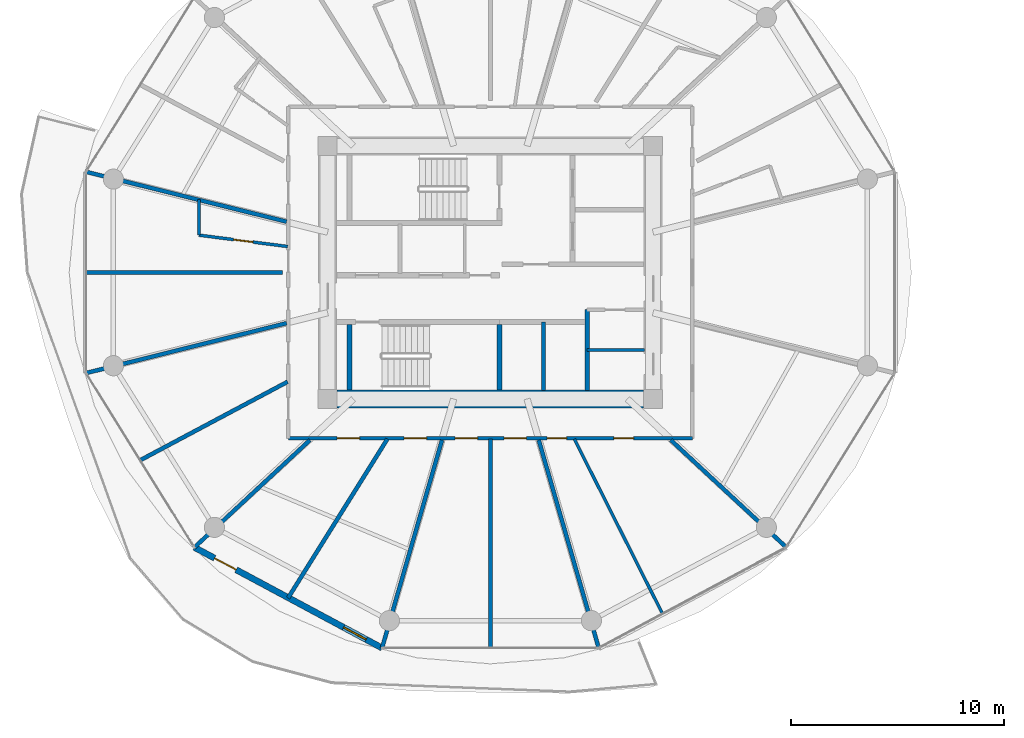
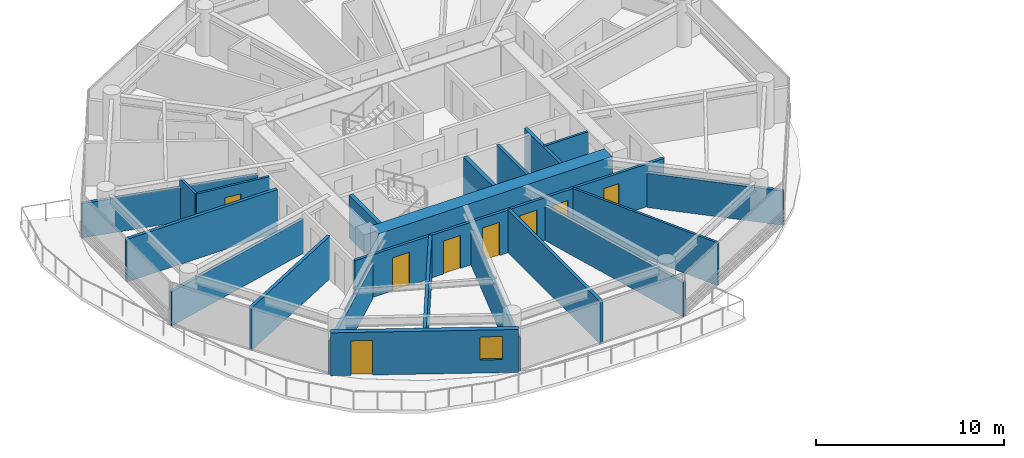
# One storey, part 16 of 28: 21 walls, 8 doors, 1 window, 9 openings.
"""IFC4 building model written with IfcOpenShell, lengths in metres."""

from ifc_helpers import new_model, si_unit, direction, frame, frame_2d, origin, place, context, subcontext, project, spatial, rectangle, extrude, source, transform, mapped, material, layer, layer_set, type_object, type_shapes, element, fill, save


model = new_model("IFC4")

# Units and contexts
model_context = context("Model", 3, precision=1e-05, world=origin(), true_north=direction((0.0, 1.0)))
body_context = subcontext(model_context, "Body", "Model", "MODEL_VIEW")
ifc_project = project(units=[si_unit("LENGTHUNIT", "METRE"), si_unit("AREAUNIT", "SQUARE_METRE"), si_unit("VOLUMEUNIT", "CUBIC_METRE"), si_unit("PLANEANGLEUNIT", "RADIAN"), si_unit("MASSUNIT", "GRAM", prefix="KILO")], contexts=[model_context])

# Site, building, storey
site_placement = place(None, origin())
site = spatial("IfcSite", under=ifc_project, at=site_placement, CompositionType="ELEMENT")
building_placement = place(site_placement, origin())
building = spatial("IfcBuilding", under=site, at=building_placement, Name="Norrkilde Senior Care Towers", CompositionType="ELEMENT")
storey_placement = place(building_placement, frame((0.0, 0.0, 39.89990234375)))
storey = spatial("IfcBuildingStorey", under=building, at=storey_placement, Name="L11", CompositionType="ELEMENT", Elevation=39.89990234375)

# Wall
ifc_material_1 = material(Name="Concrete C60/75", Category="concrete")
ifc_layer_1 = layer(ifc_material_1, 0.85009765625)
ifc_layer_set_1 = layer_set([ifc_layer_1], Name="Concrete C60/75")
wall_type_1 = type_object("IfcWallType", Name="Core Shear Wall Z1 850", PredefinedType="SHEAR", material=ifc_layer_set_1)
shared_shape_1 = source(origin(), body_context, "Body", "SweptSolid", [
    extrude(rectangle(XDim=14.39990234375, YDim=0.85009765625, at=frame_2d((7.199951171875, 0.0))), origin(), (0.0, 0.0, 1.0), 2.7900390625),
])
type_shapes(wall_type_1, [shared_shape_1])
wall_1_placement = place(storey_placement, frame((-20.800048828125, -5.949951171875, 0.0), z_axis=(0.0, 0.0, 1.0), x_axis=(-1.0, 0.0, 0.0)))
element("IfcWall", 1, at=wall_1_placement, inside=storey, type_object=wall_type_1, Name="L11 Core W South Shear Wall", PredefinedType="SHEAR", context=body_context, shape_type="MappedRepresentation", body=[
    mapped(shared_shape_1, transform((0.0, 0.0, 0.0), x_axis=(1.0, 0.0, 0.0), y_axis=(0.0, 1.0, 0.0), z_axis=(0.0, 0.0, 1.0), scale=1.0)),
])

# Wall, openings, door, window
ifc_material_2 = material(Name="Precast concrete C45/55", Category="concrete")
ifc_layer_2 = layer(ifc_material_2, 0.2900390625)
ifc_layer_set_2 = layer_set([ifc_layer_2], Name="Precast concrete C45/55")
wall_type_2 = type_object("IfcWallType", Name="Winter Garden Facade Wall 290", PredefinedType="SOLIDWALL", material=ifc_layer_set_2)
shared_shape_2 = source(origin(), body_context, "Body", "SweptSolid", [
    extrude(rectangle(XDim=10.0107421875, YDim=0.2900390625, at=frame_2d((5.00537109375, 0.0))), origin(), (0.0, 0.0, 1.0), 2.7900390625),
])
type_shapes(wall_type_2, [shared_shape_2])
wall_2_placement = place(storey_placement, frame((-33.093505859375, -17.6572265625, 0.0), z_axis=(0.0, 0.0, 1.0), x_axis=(-0.881272505317, 0.472608475773, 0.0)))
wall_2 = element("IfcWall", 2, at=wall_2_placement, inside=storey, type_object=wall_type_2, Name="L11 Drum W Balcony Access Wall 07", PredefinedType="SOLIDWALL", context=body_context, shape_type="MappedRepresentation", body=[
    mapped(shared_shape_2, transform((0.0, 0.0, 0.0), x_axis=(1.0, 0.0, 0.0), y_axis=(0.0, 1.0, 0.0), z_axis=(0.0, 0.0, 1.0), scale=1.0)),
])
opening_1_placement = place(wall_2_placement, frame((7.780029296875, 0.0, 0.0)))
opening_1 = element("IfcOpeningElement", 3, at=opening_1_placement, cuts=wall_2, Name="Opening D-09", PredefinedType="OPENING", context=body_context, shape_type="SweptSolid", body=[
    extrude(rectangle(XDim=1.14990234375, YDim=2.25, at=frame_2d((0.574951171875, 1.125))), frame((0.0, 0.155029296875, 0.0), z_axis=(0.0, -1.0, 0.0), x_axis=(1.0, 0.0, 0.0)), (0.0, 0.0, 1.0), 0.31005859375),
])
opening_2_placement = place(wall_2_placement, frame((0.85009765625, 0.0, 0.85009765625)))
opening_2 = element("IfcOpeningElement", 4, at=opening_2_placement, cuts=wall_2, Name="Opening WN-07", PredefinedType="OPENING", context=body_context, shape_type="SweptSolid", body=[
    extrude(rectangle(XDim=1.199951171875, YDim=1.5, at=frame_2d((0.60009765625, 0.75))), frame((0.0, 0.155029296875, 0.0), z_axis=(0.0, -1.0, 0.0), x_axis=(1.0, 0.0, 0.0)), (0.0, 0.0, 1.0), 0.31005859375),
])
ifc_material_3 = material(Name="Anodised Aluminium", Category="aluminium")
door_type_1 = type_object("IfcDoorType", Name="Terrace and Balcony Glazed Door 1150x2250", OperationType="NOTDEFINED", PredefinedType="DOOR", material=ifc_material_3)
shared_shape_3 = source(origin(), body_context, "Body", "SweptSolid", [
    extrude(rectangle(XDim=1.14990234375, YDim=2.25, at=frame_2d((0.574951171875, 1.125))), frame((0.0, 0.02490234375, 0.0), z_axis=(0.0, -1.0, 0.0), x_axis=(1.0, 0.0, 0.0)), (0.0, 0.0, 1.0), 0.050048828125),
])
type_shapes(door_type_1, [shared_shape_3])
door_1_placement = place(opening_1_placement, origin())
door_1 = element("IfcDoor", 5, at=door_1_placement, inside=storey, type_object=door_type_1, Name="L11 Drum W Outdoor Terrace Door 07", OperationType="SINGLE_SWING_RIGHT", OverallHeight=2.25, OverallWidth=1.14990234375, PredefinedType="DOOR", context=body_context, shape_type="MappedRepresentation", body=[
    mapped(shared_shape_3, transform((0.0, 0.0, 0.0), x_axis=(1.0, 0.0, 0.0), y_axis=(0.0, 1.0, 0.0), z_axis=(0.0, 0.0, 1.0), scale=1.0)),
])
fill(opening_1, door_1)
ifc_material_4 = material(Name="Triple Low-E Insulated Glazing", Category="glass")
window_type = type_object("IfcWindowType", Name="Stairwell Smoke Vent Window 1200x1500", PartitioningType="SINGLE_PANEL", PredefinedType="WINDOW", material=ifc_material_4)
shared_shape_4 = source(origin(), body_context, "Body", "SweptSolid", [
    extrude(rectangle(XDim=1.199951171875, YDim=1.5, at=frame_2d((0.60009765625, 0.75))), frame((0.0, 0.030029296875, 0.0), z_axis=(0.0, -1.0, 0.0), x_axis=(1.0, 0.0, 0.0)), (0.0, 0.0, 1.0), 0.06005859375),
])
type_shapes(window_type, [shared_shape_4])
window_placement = place(opening_2_placement, origin())
window = element("IfcWindow", 6, at=window_placement, inside=storey, type_object=window_type, Name="L11 Drum W Winter Garden Window 07", OverallHeight=1.5, OverallWidth=1.199951171875, PartitioningType="SINGLE_PANEL", PredefinedType="WINDOW", context=body_context, shape_type="MappedRepresentation", body=[
    mapped(shared_shape_4, transform((0.0, 0.0, 0.0), x_axis=(1.0, 0.0, 0.0), y_axis=(0.0, 1.0, 0.0), z_axis=(0.0, 0.0, 1.0), scale=1.0)),
])
fill(opening_2, window)

# Walls
ifc_material_5 = material(Name="Concrete C45/55", Category="concrete")
ifc_layer_3 = layer(ifc_material_5, 0.239990234375)
ifc_layer_set_3 = layer_set([ifc_layer_3], Name="Concrete C45/55")
wall_type_3 = type_object("IfcWallType", Name="Shaft and Stair Enclosure Wall 240", PredefinedType="PARTITIONING", material=ifc_layer_set_3)
shared_shape_5 = source(origin(), body_context, "Body", "SweptSolid", [
    extrude(rectangle(XDim=3.074951171875, YDim=0.239990234375, at=frame_2d((1.53759765625, 0.0))), origin(), (0.0, 0.0, 1.0), 2.7900390625),
])
type_shapes(wall_type_3, [shared_shape_5])
for number, where, z_axis, x_axis, name in (
    (7, (-34.6201171875, -5.52490234375, 0.0), (0.0, 0.0, 1.0), (0.0, 1.0, 0.0), "WL-INT-L11-W-ST2W"),
    (8, (-27.580078125, -5.52490234375, 0.0), (0.0, 0.0, 1.0), (0.0, 1.0, 0.0), "WL-INT-L11-W-ST2E"),
):
    element("IfcWall", number, at=place(storey_placement, frame(where, z_axis=z_axis, x_axis=x_axis)), inside=storey, type_object=wall_type_3, Name=name, PredefinedType="PARTITIONING", context=body_context, shape_type="MappedRepresentation", body=[
        mapped(shared_shape_5, transform((0.0, 0.0, 0.0), x_axis=(1.0, 0.0, 0.0), y_axis=(0.0, 1.0, 0.0), z_axis=(0.0, 0.0, 1.0), scale=1.0)),
    ])
ifc_layer_4 = layer(ifc_material_5, 0.199951171875)
ifc_layer_set_4 = layer_set([ifc_layer_4], Name="Concrete C45/55")
wall_type_4 = type_object("IfcWallType", Name="Shaft Division and Plant Partition 200", PredefinedType="PARTITIONING", material=ifc_layer_set_4)
shared_shape_6 = source(origin(), body_context, "Body", "SweptSolid", [
    extrude(rectangle(XDim=3.800048828125, YDim=0.199951171875, at=frame_2d((1.89990234375, 0.0))), origin(), (0.0, 0.0, 1.0), 2.775146484375),
])
type_shapes(wall_type_4, [shared_shape_6])
wall_3_placement = place(storey_placement, frame((-23.449951171875, -5.550048828125, 0.0), z_axis=(0.0, 0.0, 1.0), x_axis=(0.0, 1.0, 0.0)))
element("IfcWall", 9, at=wall_3_placement, inside=storey, type_object=wall_type_4, Name="WL-INT-L11-W-PKBE", PredefinedType="PARTITIONING", context=body_context, shape_type="MappedRepresentation", body=[
    mapped(shared_shape_6, transform((0.0, 0.0, 0.0), x_axis=(1.0, 0.0, 0.0), y_axis=(0.0, 1.0, 0.0), z_axis=(0.0, 0.0, 1.0), scale=1.0)),
])
ifc_layer_5 = layer(ifc_material_5, 0.179931640625)
ifc_layer_set_5 = layer_set([ifc_layer_5], Name="Concrete C45/55")
wall_type_5 = type_object("IfcWallType", Name="Hoistway Division Rated Partition 180", PredefinedType="PARTITIONING", material=ifc_layer_set_5)
shared_shape_7 = source(origin(), body_context, "Body", "SweptSolid", [
    extrude(rectangle(XDim=3.219970703125, YDim=0.179931640625, at=frame_2d((1.60986328125, 0.0))), origin(), (0.0, 0.0, 1.0), 2.775146484375),
])
type_shapes(wall_type_5, [shared_shape_7])
wall_4_placement = place(storey_placement, frame((-25.5, -5.550048828125, 0.0), z_axis=(0.0, 0.0, 1.0), x_axis=(0.0, 1.0, 0.0)))
element("IfcWall", 10, at=wall_4_placement, inside=storey, type_object=wall_type_5, Name="WL-INT-L11-W-PL34", PredefinedType="PARTITIONING", context=body_context, shape_type="MappedRepresentation", body=[
    mapped(shared_shape_7, transform((0.0, 0.0, 0.0), x_axis=(1.0, 0.0, 0.0), y_axis=(0.0, 1.0, 0.0), z_axis=(0.0, 0.0, 1.0), scale=1.0)),
])

# Wall, openings, doors
ifc_material_6 = material(Name="Gypsum Acoustic Board")
ifc_layer_6 = layer(ifc_material_6, 0.1650390625)
ifc_layer_set_6 = layer_set([ifc_layer_6], Name="Gypsum Acoustic Board")
wall_type_6 = type_object("IfcWallType", Name="Corridor Rated Partition 165", PredefinedType="PARTITIONING", material=ifc_layer_set_6)
shared_shape_8 = source(origin(), body_context, "Body", "SweptSolid", [
    extrude(rectangle(XDim=19.0, YDim=0.1650390625, at=frame_2d((9.5, 0.0))), origin(), (0.0, 0.0, 1.0), 2.775146484375),
])
type_shapes(wall_type_6, [shared_shape_8])
wall_5_placement = place(storey_placement, frame((-18.5, -7.800048828125, 0.0), z_axis=(0.0, 0.0, 1.0), x_axis=(-1.0, 0.0, 0.0)))
wall_5 = element("IfcWall", 11, at=wall_5_placement, inside=storey, type_object=wall_type_6, Name="WL-INT-L11-W-CRW-S-0", PredefinedType="PARTITIONING", context=body_context, shape_type="MappedRepresentation", body=[
    mapped(shared_shape_8, transform((0.0, 0.0, 0.0), x_axis=(1.0, 0.0, 0.0), y_axis=(0.0, 1.0, 0.0), z_axis=(0.0, 0.0, 1.0), scale=1.0)),
])
opening_3_placement = place(wall_5_placement, frame((15.65185546875, 0.0, 0.0)))
opening_3 = element("IfcOpeningElement", 12, at=opening_3_placement, cuts=wall_5, Name="Opening D-06", PredefinedType="OPENING", context=body_context, shape_type="SweptSolid", body=[
    extrude(rectangle(XDim=1.050048828125, YDim=2.14990234375, at=frame_2d((0.52490234375, 1.074951171875))), frame((0.0, 0.092529296875, 0.0), z_axis=(0.0, -1.0, 0.0), x_axis=(1.0, 0.0, 0.0)), (0.0, 0.0, 1.0), 0.18505859375),
])
opening_4_placement = place(wall_5_placement, frame((12.5, 0.0, 0.0)))
opening_4 = element("IfcOpeningElement", 13, at=opening_4_placement, cuts=wall_5, Name="Opening D-06", PredefinedType="OPENING", context=body_context, shape_type="SweptSolid", body=[
    extrude(rectangle(XDim=1.050048828125, YDim=2.14990234375, at=frame_2d((0.52490234375, 1.074951171875))), frame((0.0, 0.092529296875, 0.0), z_axis=(0.0, -1.0, 0.0), x_axis=(1.0, 0.0, 0.0)), (0.0, 0.0, 1.0), 0.18505859375),
])
opening_5_placement = place(wall_5_placement, frame((10.103759765625, 0.0, 0.0)))
opening_5 = element("IfcOpeningElement", 14, at=opening_5_placement, cuts=wall_5, Name="Opening D-06", PredefinedType="OPENING", context=body_context, shape_type="SweptSolid", body=[
    extrude(rectangle(XDim=1.050048828125, YDim=2.14990234375, at=frame_2d((0.52490234375, 1.074951171875))), frame((0.0, 0.092529296875, 0.0), z_axis=(0.0, -1.0, 0.0), x_axis=(1.0, 0.0, 0.0)), (0.0, 0.0, 1.0), 0.18505859375),
])
opening_6_placement = place(wall_5_placement, frame((7.806396484375, 0.0, 0.0)))
opening_6 = element("IfcOpeningElement", 15, at=opening_6_placement, cuts=wall_5, Name="Opening D-06", PredefinedType="OPENING", context=body_context, shape_type="SweptSolid", body=[
    extrude(rectangle(XDim=1.050048828125, YDim=2.14990234375, at=frame_2d((0.52490234375, 1.074951171875))), frame((0.0, 0.092529296875, 0.0), z_axis=(0.0, -1.0, 0.0), x_axis=(1.0, 0.0, 0.0)), (0.0, 0.0, 1.0), 0.18505859375),
])
opening_7_placement = place(wall_5_placement, frame((5.915283203125, 0.0, 0.0)))
opening_7 = element("IfcOpeningElement", 16, at=opening_7_placement, cuts=wall_5, Name="Opening D-08", PredefinedType="OPENING", context=body_context, shape_type="SweptSolid", body=[
    extrude(rectangle(XDim=0.919921875, YDim=2.10009765625, at=frame_2d((0.4599609375, 1.050048828125))), frame((0.0, 0.092529296875, 0.0), z_axis=(0.0, -1.0, 0.0), x_axis=(1.0, 0.0, 0.0)), (0.0, 0.0, 1.0), 0.18505859375),
])
opening_8_placement = place(wall_5_placement, frame((2.76904296875, 0.0, 0.0)))
opening_8 = element("IfcOpeningElement", 17, at=opening_8_placement, cuts=wall_5, Name="Opening D-08", PredefinedType="OPENING", context=body_context, shape_type="SweptSolid", body=[
    extrude(rectangle(XDim=0.919921875, YDim=2.10009765625, at=frame_2d((0.4599609375, 1.050048828125))), frame((0.0, 0.092529296875, 0.0), z_axis=(0.0, -1.0, 0.0), x_axis=(1.0, 0.0, 0.0)), (0.0, 0.0, 1.0), 0.18505859375),
])
ifc_material_7 = material(Name="Nordic Ash Timber", Category="wood")
door_type_2 = type_object("IfcDoorType", Name="Accessible Wet Room Door 920x2100", OperationType="NOTDEFINED", PredefinedType="DOOR", material=ifc_material_7)
shared_shape_9 = source(origin(), body_context, "Body", "SweptSolid", [
    extrude(rectangle(XDim=0.919921875, YDim=2.10009765625, at=frame_2d((0.4599609375, 1.050048828125))), frame((0.0, 0.02490234375, 0.0), z_axis=(0.0, -1.0, 0.0), x_axis=(1.0, 0.0, 0.0)), (0.0, 0.0, 1.0), 0.050048828125),
])
type_shapes(door_type_2, [shared_shape_9])
door_2_placement = place(opening_7_placement, frame((0.919921875, 0.0, 0.0), z_axis=(0.0, 0.0, 1.0), x_axis=(-1.0, 0.0, 0.0)))
door_2 = element("IfcDoor", 18, at=door_2_placement, inside=storey, type_object=door_type_2, Name="L11 Accessible Restroom Door", OperationType="SINGLE_SWING_RIGHT", OverallHeight=2.10009765625, OverallWidth=0.919921875, PredefinedType="DOOR", context=body_context, shape_type="MappedRepresentation", body=[
    mapped(shared_shape_9, transform((0.0, 0.0, 0.0), x_axis=(1.0, 0.0, 0.0), y_axis=(0.0, 1.0, 0.0), z_axis=(0.0, 0.0, 1.0), scale=1.0)),
])
fill(opening_7, door_2)
door_3_placement = place(opening_8_placement, frame((0.919921875, 0.0, 0.0), z_axis=(0.0, 0.0, 1.0), x_axis=(-1.0, 0.0, 0.0)))
door_3 = element("IfcDoor", 19, at=door_3_placement, inside=storey, type_object=door_type_2, Name="L11 Public Restroom Door", OperationType="SINGLE_SWING_LEFT", OverallHeight=2.10009765625, OverallWidth=0.919921875, PredefinedType="DOOR", context=body_context, shape_type="MappedRepresentation", body=[
    mapped(shared_shape_9, transform((0.0, 0.0, 0.0), x_axis=(1.0, 0.0, 0.0), y_axis=(0.0, 1.0, 0.0), z_axis=(0.0, 0.0, 1.0), scale=1.0)),
])
fill(opening_8, door_3)
door_type_3 = type_object("IfcDoorType", Name="Apartment Entrance Fire Door 1050x2150", OperationType="NOTDEFINED", PredefinedType="DOOR", material=ifc_material_7)
shared_shape_10 = source(origin(), body_context, "Body", "SweptSolid", [
    extrude(rectangle(XDim=1.050048828125, YDim=2.14990234375, at=frame_2d((0.52490234375, 1.074951171875))), frame((0.0, 0.02490234375, 0.0), z_axis=(0.0, -1.0, 0.0), x_axis=(1.0, 0.0, 0.0)), (0.0, 0.0, 1.0), 0.050048828125),
])
type_shapes(door_type_3, [shared_shape_10])
door_4_placement = place(opening_3_placement, frame((1.050048828125, 0.0, 0.0), z_axis=(0.0, 0.0, 1.0), x_axis=(-1.0, 0.0, 0.0)))
door_4 = element("IfcDoor", 20, at=door_4_placement, inside=storey, type_object=door_type_3, Name="L11 Physiotherapy Clinic 7A Door", OperationType="SINGLE_SWING_RIGHT", OverallHeight=2.14990234375, OverallWidth=1.050048828125, PredefinedType="DOOR", context=body_context, shape_type="MappedRepresentation", body=[
    mapped(shared_shape_10, transform((0.0, 0.0, 0.0), x_axis=(1.0, 0.0, 0.0), y_axis=(0.0, 1.0, 0.0), z_axis=(0.0, 0.0, 1.0), scale=1.0)),
])
fill(opening_3, door_4)
door_5_placement = place(opening_4_placement, frame((1.050048828125, 0.0, 0.0), z_axis=(0.0, 0.0, 1.0), x_axis=(-1.0, 0.0, 0.0)))
door_5 = element("IfcDoor", 21, at=door_5_placement, inside=storey, type_object=door_type_3, Name="L11 Assessment Clinic 7B Door", OperationType="SINGLE_SWING_LEFT", OverallHeight=2.14990234375, OverallWidth=1.050048828125, PredefinedType="DOOR", context=body_context, shape_type="MappedRepresentation", body=[
    mapped(shared_shape_10, transform((0.0, 0.0, 0.0), x_axis=(1.0, 0.0, 0.0), y_axis=(0.0, 1.0, 0.0), z_axis=(0.0, 0.0, 1.0), scale=1.0)),
])
fill(opening_4, door_5)
door_6_placement = place(opening_5_placement, frame((1.050048828125, 0.0, 0.0), z_axis=(0.0, 0.0, 1.0), x_axis=(-1.0, 0.0, 0.0)))
door_6 = element("IfcDoor", 22, at=door_6_placement, inside=storey, type_object=door_type_3, Name="L11 Physiotherapy Clinic 8A Door", OperationType="SINGLE_SWING_LEFT", OverallHeight=2.14990234375, OverallWidth=1.050048828125, PredefinedType="DOOR", context=body_context, shape_type="MappedRepresentation", body=[
    mapped(shared_shape_10, transform((0.0, 0.0, 0.0), x_axis=(1.0, 0.0, 0.0), y_axis=(0.0, 1.0, 0.0), z_axis=(0.0, 0.0, 1.0), scale=1.0)),
])
fill(opening_5, door_6)
door_7_placement = place(opening_6_placement, frame((1.050048828125, 0.0, 0.0), z_axis=(0.0, 0.0, 1.0), x_axis=(-1.0, 0.0, 0.0)))
door_7 = element("IfcDoor", 23, at=door_7_placement, inside=storey, type_object=door_type_3, Name="L11 Assessment Clinic 8B Door", OperationType="SINGLE_SWING_RIGHT", OverallHeight=2.14990234375, OverallWidth=1.050048828125, PredefinedType="DOOR", context=body_context, shape_type="MappedRepresentation", body=[
    mapped(shared_shape_10, transform((0.0, 0.0, 0.0), x_axis=(1.0, 0.0, 0.0), y_axis=(0.0, 1.0, 0.0), z_axis=(0.0, 0.0, 1.0), scale=1.0)),
])
fill(opening_6, door_7)

# Walls
ifc_layer_7 = layer(ifc_material_6, 0.18994140625)
ifc_layer_set_7 = layer_set([ifc_layer_7], Name="Gypsum Acoustic Board")
wall_type_7 = type_object("IfcWallType", Name="Unit Demising Acoustic Wall 190", PredefinedType="PARTITIONING", material=ifc_layer_set_7)
shared_shape_11 = source(origin(), body_context, "Body", "SweptSolid", [
    extrude(rectangle(XDim=7.4345703125, YDim=0.18994140625, at=frame_2d((3.71728515625, 0.0))), origin(), (0.0, 0.0, 1.0), 2.22509765625),
])
for number, where, z_axis, x_axis, name in (
    (24, (-36.48291015625, -7.8798828125, 0.0), (0.0, 0.0, 1.0), (-0.732651956848, -0.680603489652, 0.0), "WL-INT-L11-W-DEM-07-0"),
    (25, (-19.51708984375, -7.8798828125, 0.0), (0.0, 0.0, 1.0), (0.732651956848, -0.680603489652, 0.0), "WL-INT-L11-W-DEM-10-0"),
):
    element("IfcWall", number, at=place(storey_placement, frame(where, z_axis=z_axis, x_axis=x_axis)), inside=storey, type_object=wall_type_7, Name=name, PredefinedType="PARTITIONING", context=body_context, shape_type="MappedRepresentation", body=[
        mapped(shared_shape_11, transform((0.0, 0.0, 0.0), x_axis=(1.0, 0.0, 0.0), y_axis=(0.0, 1.0, 0.0), z_axis=(0.0, 0.0, 1.0), scale=1.0)),
    ])
shared_shape_12 = source(origin(), body_context, "Body", "SweptSolid", [
    extrude(rectangle(XDim=10.196044921875, YDim=0.18994140625, at=frame_2d((5.09814453125, 0.0))), origin(), (0.0, 0.0, 1.0), 2.22509765625),
])
for number, where, z_axis, x_axis, name in (
    (26, (-30.27294921875, -7.8798828125, 0.0), (0.0, 0.0, 1.0), (-0.277136420347, -0.960830580549, 0.0), "WL-INT-L11-W-DEM-08-0"),
    (27, (-25.72705078125, -7.8798828125, 0.0), (0.0, 0.0, 1.0), (0.277136420347, -0.960830580549, 0.0), "WL-INT-L11-W-DEM-09-0"),
):
    element("IfcWall", number, at=place(storey_placement, frame(where, z_axis=z_axis, x_axis=x_axis)), inside=storey, type_object=wall_type_7, Name=name, PredefinedType="PARTITIONING", context=body_context, shape_type="MappedRepresentation", body=[
        mapped(shared_shape_12, transform((0.0, 0.0, 0.0), x_axis=(1.0, 0.0, 0.0), y_axis=(0.0, 1.0, 0.0), z_axis=(0.0, 0.0, 1.0), scale=1.0)),
    ])
shared_shape_13 = source(origin(), body_context, "Body", "SweptSolid", [
    extrude(rectangle(XDim=9.846435546875, YDim=0.18994140625, at=frame_2d((4.92333984375, 0.0))), origin(), (0.0, 0.0, 1.0), 2.775146484375),
])
wall_6_placement = place(storey_placement, frame((-28.0, -7.830078125, 0.0), z_axis=(0.0, 0.0, 1.0), x_axis=(0.0, -1.0, 0.0)))
element("IfcWall", 28, at=wall_6_placement, inside=storey, type_object=wall_type_7, Name="WL-INT-L11-W-MID-08", PredefinedType="PARTITIONING", context=body_context, shape_type="MappedRepresentation", body=[
    mapped(shared_shape_13, transform((0.0, 0.0, 0.0), x_axis=(1.0, 0.0, 0.0), y_axis=(0.0, 1.0, 0.0), z_axis=(0.0, 0.0, 1.0), scale=1.0)),
])
ifc_layer_8 = layer(ifc_material_6, 0.139892578125)
ifc_layer_set_8 = layer_set([ifc_layer_8], Name="Gypsum Acoustic Board")
wall_type_8 = type_object("IfcWallType", Name="En-suite Wet Room Wall 140", PredefinedType="PARTITIONING", material=ifc_layer_set_8)
shared_shape_14 = source(origin(), body_context, "Body", "SweptSolid", [
    extrude(rectangle(XDim=9.22509765625, YDim=0.139892578125, at=frame_2d((4.612548828125, 0.0))), origin(), (0.0, 0.0, 1.0), 2.775146484375),
])
wall_7_placement = place(storey_placement, frame((-24.05419921875, -7.830078125, 0.0), z_axis=(0.0, 0.0, 1.0), x_axis=(0.450460543767, -0.892796336523, 0.0)))
element("IfcWall", 29, at=wall_7_placement, inside=storey, type_object=wall_type_8, Name="WL-INT-L11-W-MID-09", PredefinedType="PARTITIONING", context=body_context, shape_type="MappedRepresentation", body=[
    mapped(shared_shape_14, transform((0.0, 0.0, 0.0), x_axis=(1.0, 0.0, 0.0), y_axis=(0.0, 1.0, 0.0), z_axis=(0.0, 0.0, 1.0), scale=1.0)),
])
shared_shape_15 = source(origin(), body_context, "Body", "SweptSolid", [
    extrude(rectangle(XDim=9.737060546875, YDim=0.18994140625, at=frame_2d((4.86865234375, 0.0))), origin(), (0.0, 0.0, 1.0), 2.22509765625),
])
for number, where, z_axis, x_axis, name in (
    (30, (-37.580078125, 2.384521484375, 0.0), (0.0, 0.0, 1.0), (-0.970392716238, 0.241532557375, 0.0), "WL-INT-L11-W-DEM-05-0"),
    (31, (-37.580078125, -2.384521484375, 0.0), (0.0, 0.0, 1.0), (-0.970392716238, -0.241532557375, 0.0), "WL-INT-L11-W-DEM-06-0"),
):
    element("IfcWall", number, at=place(storey_placement, frame(where, z_axis=z_axis, x_axis=x_axis)), inside=storey, type_object=wall_type_7, Name=name, PredefinedType="PARTITIONING", context=body_context, shape_type="MappedRepresentation", body=[
        mapped(shared_shape_15, transform((0.0, 0.0, 0.0), x_axis=(1.0, 0.0, 0.0), y_axis=(0.0, 1.0, 0.0), z_axis=(0.0, 0.0, 1.0), scale=1.0)),
    ])
shared_shape_16 = source(origin(), body_context, "Body", "SweptSolid", [
    extrude(rectangle(XDim=2.699951171875, YDim=0.139892578125, at=frame_2d((1.35009765625, 0.0))), origin(), (0.0, 0.0, 1.0), 2.775146484375),
])
wall_8_placement = place(storey_placement, frame((-23.449951171875, -3.64990234375, 0.0), z_axis=(0.0, 0.0, 1.0), x_axis=(1.0, 0.0, 0.0)))
element("IfcWall", 32, at=wall_8_placement, inside=storey, type_object=wall_type_8, Name="WL-INT-L11-W-CS2H", PredefinedType="PARTITIONING", context=body_context, shape_type="MappedRepresentation", body=[
    mapped(shared_shape_16, transform((0.0, 0.0, 0.0), x_axis=(1.0, 0.0, 0.0), y_axis=(0.0, 1.0, 0.0), z_axis=(0.0, 0.0, 1.0), scale=1.0)),
])
shared_shape_17 = source(origin(), body_context, "Body", "SweptSolid", [
    extrude(rectangle(XDim=9.261474609375, YDim=0.18994140625, at=frame_2d((4.630859375, 0.0))), origin(), (0.0, 0.0, 1.0), 2.775146484375),
])
wall_9_placement = place(storey_placement, frame((-37.767333984375, 0.0, 0.0), z_axis=(0.0, 0.0, 1.0), x_axis=(-1.0, 0.0, 0.0)))
element("IfcWall", 33, at=wall_9_placement, inside=storey, type_object=wall_type_7, Name="WL-INT-L11-W-CMID-05", PredefinedType="PARTITIONING", context=body_context, shape_type="MappedRepresentation", body=[
    mapped(shared_shape_17, transform((0.0, 0.0, 0.0), x_axis=(1.0, 0.0, 0.0), y_axis=(0.0, 1.0, 0.0), z_axis=(0.0, 0.0, 1.0), scale=1.0)),
])

# Wall, opening, door
shared_shape_18 = source(origin(), body_context, "Body", "SweptSolid", [
    extrude(rectangle(XDim=4.2099609375, YDim=0.139892578125, at=frame_2d((2.10498046875, 0.0))), origin(), (0.0, 0.0, 1.0), 2.775146484375),
])
wall_10_placement = place(storey_placement, frame((-37.530029296875, 1.218994140625, 0.0), z_axis=(0.0, 0.0, 1.0), x_axis=(-0.991917821325, 0.126881975625, 0.0)))
wall_10 = element("IfcWall", 34, at=wall_10_placement, inside=storey, type_object=wall_type_8, Name="WL-INT-L11-W-ES-05A", PredefinedType="PARTITIONING", context=body_context, shape_type="MappedRepresentation", body=[
    mapped(shared_shape_18, transform((0.0, 0.0, 0.0), x_axis=(1.0, 0.0, 0.0), y_axis=(0.0, 1.0, 0.0), z_axis=(0.0, 0.0, 1.0), scale=1.0)),
])
opening_9_placement = place(wall_10_placement, frame((1.64501953125, 0.0, 0.0)))
opening_9 = element("IfcOpeningElement", 35, at=opening_9_placement, cuts=wall_10, Name="Opening D-08", PredefinedType="OPENING", context=body_context, shape_type="SweptSolid", body=[
    extrude(rectangle(XDim=0.919921875, YDim=2.10009765625, at=frame_2d((0.4599609375, 1.050048828125))), frame((0.0, 0.079833984375, 0.0), z_axis=(0.0, -1.0, 0.0), x_axis=(1.0, 0.0, 0.0)), (0.0, 0.0, 1.0), 0.159912109375),
])
door_8_placement = place(opening_9_placement, origin())
door_8 = element("IfcDoor", 36, at=door_8_placement, inside=storey, type_object=door_type_2, Name="L11 Care Suite 1105A Bathroom Door", OperationType="SINGLE_SWING_RIGHT", OverallHeight=2.10009765625, OverallWidth=0.919921875, PredefinedType="DOOR", context=body_context, shape_type="MappedRepresentation", body=[
    mapped(shared_shape_9, transform((0.0, 0.0, 0.0), x_axis=(1.0, 0.0, 0.0), y_axis=(0.0, 1.0, 0.0), z_axis=(0.0, 0.0, 1.0), scale=1.0)),
])
fill(opening_9, door_8)

# Walls
shared_shape_19 = source(origin(), body_context, "Body", "SweptSolid", [
    extrude(rectangle(XDim=1.674560546875, YDim=0.139892578125, at=frame_2d((0.83740234375, 0.0))), origin(), (0.0, 0.0, 1.0), 2.775146484375),
])
type_shapes(wall_type_8, [shared_shape_14, shared_shape_16, shared_shape_18, shared_shape_19])
wall_11_placement = place(storey_placement, frame((-41.7060546875, 1.753173828125, 0.0), z_axis=(0.0, 0.0, 1.0), x_axis=(0.003644821977, 0.999993357614, 0.0)))
element("IfcWall", 37, at=wall_11_placement, inside=storey, type_object=wall_type_8, Name="WL-INT-L11-W-EF-05A", PredefinedType="PARTITIONING", context=body_context, shape_type="MappedRepresentation", body=[
    mapped(shared_shape_19, transform((0.0, 0.0, 0.0), x_axis=(1.0, 0.0, 0.0), y_axis=(0.0, 1.0, 0.0), z_axis=(0.0, 0.0, 1.0), scale=1.0)),
])
shared_shape_20 = source(origin(), body_context, "Body", "SweptSolid", [
    extrude(rectangle(XDim=7.873291015625, YDim=0.18994140625, at=frame_2d((3.9365234375, 0.0))), origin(), (0.0, 0.0, 1.0), 2.775146484375),
])
wall_12_placement = place(storey_placement, frame((-37.530029296875, -5.1376953125, 0.0), z_axis=(0.0, 0.0, 1.0), x_axis=(-0.882666052726, -0.470000680175, 0.0)))
element("IfcWall", 38, at=wall_12_placement, inside=storey, type_object=wall_type_7, Name="WL-INT-L11-W-MID-06", PredefinedType="PARTITIONING", context=body_context, shape_type="MappedRepresentation", body=[
    mapped(shared_shape_20, transform((0.0, 0.0, 0.0), x_axis=(1.0, 0.0, 0.0), y_axis=(0.0, 1.0, 0.0), z_axis=(0.0, 0.0, 1.0), scale=1.0)),
])
shared_shape_21 = source(origin(), body_context, "Body", "SweptSolid", [
    extrude(rectangle(XDim=8.818359375, YDim=0.18994140625, at=frame_2d((4.4091796875, 0.0))), origin(), (0.0, 0.0, 1.0), 2.775146484375),
])
type_shapes(wall_type_7, [shared_shape_11, shared_shape_12, shared_shape_13, shared_shape_15, shared_shape_17, shared_shape_20, shared_shape_21])
wall_13_placement = place(storey_placement, frame((-32.84130859375, -7.830078125, 0.0), z_axis=(0.0, 0.0, 1.0), x_axis=(-0.529931746109, -0.848040296487, 0.0)))
element("IfcWall", 39, at=wall_13_placement, inside=storey, type_object=wall_type_7, Name="WL-INT-L11-W-MID-07", PredefinedType="PARTITIONING", context=body_context, shape_type="MappedRepresentation", body=[
    mapped(shared_shape_21, transform((0.0, 0.0, 0.0), x_axis=(1.0, 0.0, 0.0), y_axis=(0.0, 1.0, 0.0), z_axis=(0.0, 0.0, 1.0), scale=1.0)),
])

save(model, "model.ifc")
